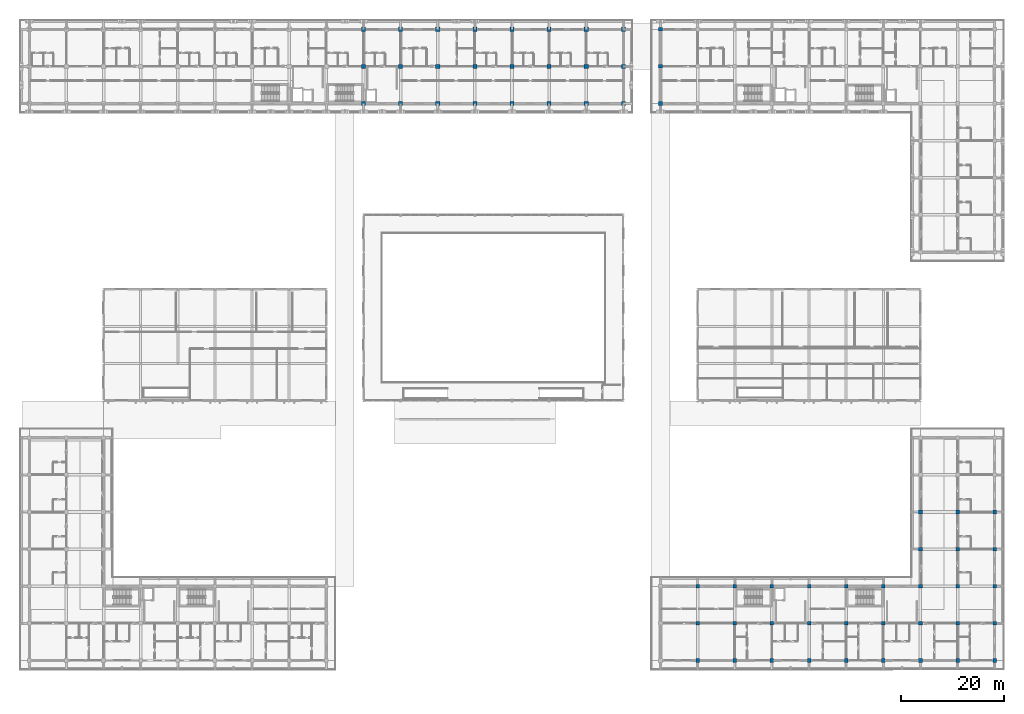
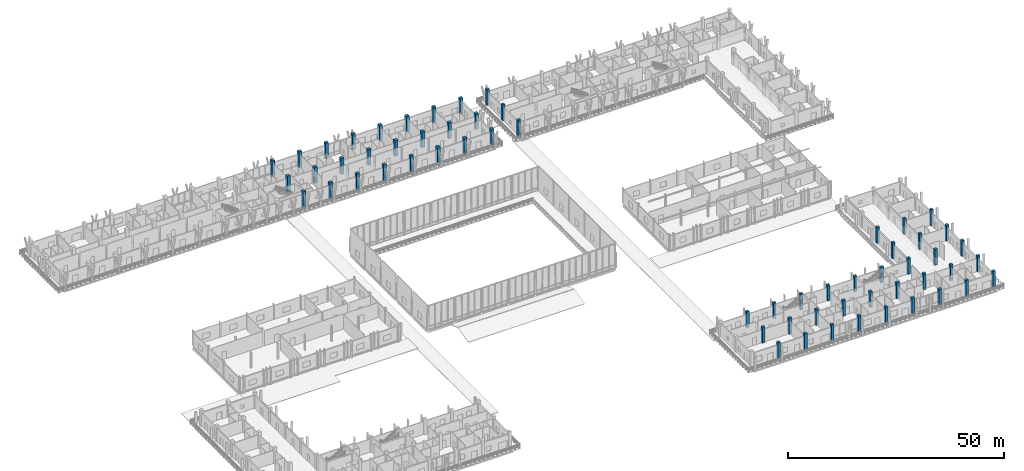
# One storey, part 9 of 110: 60 columns.
"""IFC4 building model written with IfcOpenShell, lengths in metres."""

import ifcopenshell
import ifcopenshell.guid

model = None  # the IFC model being written
_history = None  # IfcOwnerHistory: only IFC2X3 demands one
_inside = {}  # id of a spatial element -> (the spatial element, [elements in it])
_under = {}  # id of a project, library or spatial element -> (it, [spatial elements below it])
_declared = {}  # id of a project -> (the project, [libraries it declares])
_typed = {}  # id of a type object -> (the type object, [elements of that type])
_made_of = {}  # id of a material, layer set ... -> (it, [elements and type objects made of it])


def new_model(schema):
    """Start an empty IFC model of exactly this schema.

    Asked for "IFC4X3", IfcOpenShell would pick the latest addendum, in which some entities
    have other attributes; the version numbers below select the first issue.
    IFC2X3 requires an IfcOwnerHistory on every rooted entity: one is made here for all.
    """
    global model, _history
    if schema == "IFC4X3":
        model = ifcopenshell.file(schema_version=(4, 3, 0, 0))
    else:
        model = ifcopenshell.file(schema=schema)
    _inside.clear()
    _under.clear()
    _declared.clear()
    _typed.clear()
    _made_of.clear()
    _history = None
    if model.schema == "IFC2X3":
        org = make("IfcOrganization", Name="unknown")
        user = make(
            "IfcPersonAndOrganization",
            ThePerson=make("IfcPerson", FamilyName="unknown"),
            TheOrganization=org,
        )
        app = make(
            "IfcApplication",
            ApplicationDeveloper=org,
            Version="unknown",
            ApplicationFullName="unknown",
            ApplicationIdentifier="unknown",
        )
        _history = make(
            "IfcOwnerHistory",
            OwningUser=user,
            OwningApplication=app,
            ChangeAction="ADDED",
            CreationDate=0,
        )
    return model


def make(cls, **values):
    """One entity of the class cls with the attributes given. An attribute that is None is left unset."""
    return model.create_entity(
        cls, **{name: value for name, value in values.items() if value is not None}
    )


def rooted(cls, **values):
    """An entity with a GlobalId (a new one), such as an element, a storey or a relation."""
    return make(cls, GlobalId=ifcopenshell.guid.new(), OwnerHistory=_history, **values)


def si_unit(unit_type, name, prefix=None):
    """IfcSIUnit, for example si_unit("LENGTHUNIT", "METRE", prefix="MILLI")."""
    return make("IfcSIUnit", UnitType=unit_type, Prefix=prefix, Name=name)


def assignment(units):
    """IfcUnitAssignment: the units of a project."""
    return None if units is None else make("IfcUnitAssignment", Units=units)


def point(xyz):
    """IfcCartesianPoint."""
    return None if xyz is None else make("IfcCartesianPoint", Coordinates=xyz)


def direction(xyz):
    """IfcDirection."""
    return None if xyz is None else make("IfcDirection", DirectionRatios=xyz)


def frame(location, z_axis=None, x_axis=None):
    """IfcAxis2Placement3D, a coordinate frame: its origin and axes. An axis left out is left unset."""
    return make(
        "IfcAxis2Placement3D",
        Location=point(location),
        Axis=direction(z_axis),
        RefDirection=direction(x_axis),
    )


def frame_2d(location, x_axis=None):
    """IfcAxis2Placement2D, a coordinate frame in the plane: its origin and x axis."""
    return make(
        "IfcAxis2Placement2D", Location=point(location), RefDirection=direction(x_axis)
    )


def origin():
    """The frame at (0, 0, 0) with its axes left unset."""
    return frame((0.0, 0.0, 0.0))


def origin_2d():
    """The frame at (0, 0) in the plane with its x axis left unset."""
    return frame_2d((0.0, 0.0))


def place(relative_to, where):
    """IfcLocalPlacement: puts the frame where relative to a parent placement (None: the world)."""
    return make(
        "IfcLocalPlacement", PlacementRelTo=relative_to, RelativePlacement=where
    )


def context(
    kind, dimensions, precision=None, world=None, true_north=None, identifier=None
):
    """IfcGeometricRepresentationContext, for example the 3D "Model" context."""
    return make(
        "IfcGeometricRepresentationContext",
        ContextIdentifier=identifier,
        ContextType=kind,
        CoordinateSpaceDimension=dimensions,
        Precision=precision,
        WorldCoordinateSystem=world,
        TrueNorth=true_north,
    )


def subcontext(parent, identifier, kind, view, scale=None):
    """IfcGeometricRepresentationSubContext, for example "Body" below "Model"."""
    return make(
        "IfcGeometricRepresentationSubContext",
        ContextIdentifier=identifier,
        ContextType=kind,
        ParentContext=parent,
        TargetScale=scale,
        TargetView=view,
    )


def project(units=None, contexts=None):
    """IfcProject with its units and contexts."""
    return rooted(
        "IfcProject",
        Name="project",
        RepresentationContexts=contexts,
        UnitsInContext=assignment(units),
    )


def spatial(cls, under=None, at=None, **own):
    """A site, building, storey or space (cls), placed at a placement, below another one or the project."""
    s = rooted(cls, ObjectPlacement=at, **own)
    if under is not None:
        _under.setdefault(under.id(), (under, []))[1].append(s)
    return s


def profile(cls, at=None, kind="AREA", **sizes):
    """A parametric profile (cls). Its sizes go by their IFC names, for example OverallWidth=200.0."""
    return make(cls, ProfileType=kind, Position=at, **sizes)


def rectangle(**sizes):
    """IfcRectangleProfileDef."""
    return profile("IfcRectangleProfileDef", **sizes)


def extrude(swept, where, along, depth):
    """IfcExtrudedAreaSolid: the profile swept, set in the frame where, extruded along a direction by depth."""
    return make(
        "IfcExtrudedAreaSolid",
        SweptArea=swept,
        Position=where,
        ExtrudedDirection=direction(along),
        Depth=depth,
    )


def shape(context_of_items, identifier, shape_type, items):
    """IfcShapeRepresentation: the items that make up one representation, for example the "Body"."""
    return make(
        "IfcShapeRepresentation",
        ContextOfItems=context_of_items,
        RepresentationIdentifier=identifier,
        RepresentationType=shape_type,
        Items=items,
    )


def material(Name=None, Category=None):
    """IfcMaterial."""
    return make("IfcMaterial", Name=Name, Category=Category)


def material_profile(
    of_material, cross_section, Name=None, Category=None, Priority=None
):
    """IfcMaterialProfile: a cross section and its material."""
    return make(
        "IfcMaterialProfile",
        Name=Name,
        Material=of_material,
        Profile=cross_section,
        Priority=Priority,
        Category=Category,
    )


def profile_set(profiles, Name=None, composite=None):
    """IfcMaterialProfileSet."""
    return make(
        "IfcMaterialProfileSet",
        Name=Name,
        MaterialProfiles=profiles,
        CompositeProfile=composite,
    )


def made_of(thing, what):
    """Note that an element or type object is made of a material, layer set ...; save() writes the relation."""
    if what is not None:
        _made_of.setdefault(what.id(), (what, []))[1].append(thing)
    return thing


def type_object(cls, material=None, **own):
    """A type object (cls), such as IfcWallType, which elements share."""
    return made_of(rooted(cls, **own), material)


def element(
    cls,
    number,
    at=None,
    inside=None,
    cuts=None,
    type_object=None,
    material=None,
    context=None,
    identifier="Body",
    shape_type=None,
    held_by="IfcProductDefinitionShape",
    body=None,
    shapes=None,
    **own,
):
    """One element of the class cls, such as IfcWall. Its Tag is "e" and its number.

    at: its placement. inside: the storey or other place that contains it. cuts: it is an
    opening in that element (IfcRelVoidsElement). A single representation is given by context,
    identifier, shape_type and body (its items); several are given by shapes. held_by: the class
    of the entity that holds the representations. save() writes the other relations.
    """
    e = rooted(cls, Tag="e%d" % number, ObjectPlacement=at, **own)
    if body is not None:
        shapes = [shape(context, identifier, shape_type, body)]
    if shapes is not None:
        e.Representation = make(held_by, Representations=shapes)
    if inside is not None:
        _inside.setdefault(inside.id(), (inside, []))[1].append(e)
    if cuts is not None:
        rooted(
            "IfcRelVoidsElement", RelatingBuildingElement=cuts, RelatedOpeningElement=e
        )
    if type_object is not None:
        _typed.setdefault(type_object.id(), (type_object, []))[1].append(e)
    return made_of(e, material)


def aggregate(whole, parts):
    """IfcRelAggregates: a whole, such as a stair, and the parts it consists of."""
    return rooted("IfcRelAggregates", RelatingObject=whole, RelatedObjects=parts)


def save(model, path):
    """Write the relations noted so far, then the file.

    IfcRelAggregates (storeys below a building ...), IfcRelContainedInSpatialStructure (elements
    in a storey), IfcRelDefinesByType, IfcRelAssociatesMaterial and IfcRelDeclares: one each for
    every whole, place, type object, material and project.
    """
    for whole, parts in _under.values():
        aggregate(whole, parts)
    for where, things in _inside.values():
        rooted(
            "IfcRelContainedInSpatialStructure",
            RelatedElements=things,
            RelatingStructure=where,
        )
    for kind, things in _typed.values():
        rooted("IfcRelDefinesByType", RelatedObjects=things, RelatingType=kind)
    for what, things in _made_of.values():
        rooted("IfcRelAssociatesMaterial", RelatedObjects=things, RelatingMaterial=what)
    for by, libraries in _declared.values():
        rooted("IfcRelDeclares", RelatingContext=by, RelatedDefinitions=libraries)
    model.write(path)


model = new_model("IFC4")

# Units and contexts
model_context = context("Model", 3, precision=1e-05, world=origin(), true_north=direction((0.0, 1.0)))
body_context = subcontext(model_context, "Body", "Model", "MODEL_VIEW")
ifc_project = project(units=[si_unit("LENGTHUNIT", "METRE"), si_unit("AREAUNIT", "SQUARE_METRE"), si_unit("VOLUMEUNIT", "CUBIC_METRE"), si_unit("PLANEANGLEUNIT", "RADIAN"), si_unit("MASSUNIT", "GRAM", prefix="KILO")], contexts=[model_context])

# Site, building, storey
site_placement = place(None, origin())
site = spatial("IfcSite", under=ifc_project, at=site_placement, CompositionType="ELEMENT")
building_placement = place(site_placement, origin())
building = spatial("IfcBuilding", under=site, at=building_placement, Name="Suanplinth Sawtooth Commons", CompositionType="ELEMENT")
storey_placement = place(building_placement, frame((0.0, 0.0, 4.5)))
storey = spatial("IfcBuildingStorey", under=building, at=storey_placement, Name="L01", CompositionType="ELEMENT", Elevation=4.5)

# Columns
ifc_material = material(Name="Concrete C40/50", Category="concrete")
ifc_material_profile_1 = material_profile(ifc_material, rectangle(XDim=0.800048828125, YDim=0.800048828125, at=origin_2d()), Name="RC-COL 800x800")
ifc_profile_set_1 = profile_set([ifc_material_profile_1], Name="Concrete C40/50")
column_type_1 = type_object("IfcColumnType", Name="C-01", PredefinedType="COLUMN", material=ifc_profile_set_1)
for number, where, z_axis, x_axis, name in (
    (1, (64.800048828125, 108.0, 0.0), (0.0, 0.0, 1.0), (1.0, 0.0, 0.0), "Column L01 10/R"),
    (2, (64.800048828125, 115.199951171875, 0.0), (0.0, 0.0, 1.0), (1.0, 0.0, 0.0), "Column L01 10/S"),
    (3, (64.800048828125, 122.39990234375, 0.0), (0.0, 0.0, 1.0), (1.0, 0.0, 0.0), "Column L01 10/T"),
    (4, (72.0, 108.0, 0.0), (0.0, 0.0, 1.0), (1.0, 0.0, 0.0), "Column L01 11/R"),
    (5, (72.0, 115.199951171875, 0.0), (0.0, 0.0, 1.0), (1.0, 0.0, 0.0), "Column L01 11/S"),
    (6, (72.0, 122.39990234375, 0.0), (0.0, 0.0, 1.0), (1.0, 0.0, 0.0), "Column L01 11/T"),
    (7, (79.199951171875, 108.0, 0.0), (0.0, 0.0, 1.0), (1.0, 0.0, 0.0), "Column L01 12/R"),
    (8, (79.199951171875, 115.199951171875, 0.0), (0.0, 0.0, 1.0), (1.0, 0.0, 0.0), "Column L01 12/S"),
    (9, (79.199951171875, 122.39990234375, 0.0), (0.0, 0.0, 1.0), (1.0, 0.0, 0.0), "Column L01 12/T"),
    (10, (86.39990234375, 108.0, 0.0), (0.0, 0.0, 1.0), (1.0, 0.0, 0.0), "Column L01 13/R"),
    (11, (86.39990234375, 115.199951171875, 0.0), (0.0, 0.0, 1.0), (1.0, 0.0, 0.0), "Column L01 13/S"),
    (12, (86.39990234375, 122.39990234375, 0.0), (0.0, 0.0, 1.0), (1.0, 0.0, 0.0), "Column L01 13/T"),
    (13, (93.60009765625, 108.0, 0.0), (0.0, 0.0, 1.0), (1.0, 0.0, 0.0), "Column L01 14/R"),
    (14, (93.60009765625, 115.199951171875, 0.0), (0.0, 0.0, 1.0), (1.0, 0.0, 0.0), "Column L01 14/S"),
    (15, (93.60009765625, 122.39990234375, 0.0), (0.0, 0.0, 1.0), (1.0, 0.0, 0.0), "Column L01 14/T"),
    (16, (100.800048828125, 108.0, 0.0), (0.0, 0.0, 1.0), (1.0, 0.0, 0.0), "Column L01 15/R"),
    (17, (100.800048828125, 115.199951171875, 0.0), (0.0, 0.0, 1.0), (1.0, 0.0, 0.0), "Column L01 15/S"),
    (18, (100.800048828125, 122.39990234375, 0.0), (0.0, 0.0, 1.0), (1.0, 0.0, 0.0), "Column L01 15/T"),
    (19, (108.0, 108.0, 0.0), (0.0, 0.0, 1.0), (1.0, 0.0, 0.0), "Column L01 16/R"),
    (20, (108.0, 115.199951171875, 0.0), (0.0, 0.0, 1.0), (1.0, 0.0, 0.0), "Column L01 16/S"),
    (21, (108.0, 122.39990234375, 0.0), (0.0, 0.0, 1.0), (1.0, 0.0, 0.0), "Column L01 16/T"),
    (22, (115.199951171875, 108.0, 0.0), (0.0, 0.0, 1.0), (1.0, 0.0, 0.0), "Column L01 17/R"),
    (23, (115.199951171875, 115.199951171875, 0.0), (0.0, 0.0, 1.0), (1.0, 0.0, 0.0), "Column L01 17/S"),
    (24, (115.199951171875, 122.39990234375, 0.0), (0.0, 0.0, 1.0), (1.0, 0.0, 0.0), "Column L01 17/T"),
):
    element("IfcColumn", number, at=place(storey_placement, frame(where, z_axis=z_axis, x_axis=x_axis)), inside=storey, type_object=column_type_1, Name=name, PredefinedType="COLUMN", context=body_context, shape_type="SweptSolid", body=[
        extrude(rectangle(XDim=0.800048828125, YDim=0.800048828125, at=origin_2d()), origin(), (0.0, 0.0, 1.0), 4.5),
    ])
ifc_material_profile_2 = material_profile(ifc_material, rectangle(XDim=0.699951171875, YDim=0.699951171875, at=origin_2d()), Name="RC-COL 700x700")
ifc_profile_set_2 = profile_set([ifc_material_profile_2], Name="Concrete C40/50")
column_type_2 = type_object("IfcColumnType", Name="C-02", PredefinedType="COLUMN", material=ifc_profile_set_2)
for number, where, z_axis, x_axis, name in (
    (25, (122.39990234375, 108.0, 0.0), (0.0, 0.0, 1.0), (1.0, 0.0, 0.0), "Column L01 18/R"),
    (26, (122.39990234375, 115.199951171875, 0.0), (0.0, 0.0, 1.0), (1.0, 0.0, 0.0), "Column L01 18/S"),
    (27, (122.39990234375, 122.39990234375, 0.0), (0.0, 0.0, 1.0), (1.0, 0.0, 0.0), "Column L01 18/T"),
    (28, (129.60009765625, 0.0, 0.0), (0.0, 0.0, 1.0), (1.0, 0.0, 0.0), "Column L01 19/A"),
    (29, (129.60009765625, 7.199951171875, 0.0), (0.0, 0.0, 1.0), (1.0, 0.0, 0.0), "Column L01 19/B"),
    (30, (129.60009765625, 14.39990234375, 0.0), (0.0, 0.0, 1.0), (1.0, 0.0, 0.0), "Column L01 19/C"),
    (31, (136.800048828125, 0.0, 0.0), (0.0, 0.0, 1.0), (1.0, 0.0, 0.0), "Column L01 20/A"),
    (32, (136.800048828125, 7.199951171875, 0.0), (0.0, 0.0, 1.0), (1.0, 0.0, 0.0), "Column L01 20/B"),
    (33, (136.800048828125, 14.39990234375, 0.0), (0.0, 0.0, 1.0), (1.0, 0.0, 0.0), "Column L01 20/C"),
    (34, (144.0, 0.0, 0.0), (0.0, 0.0, 1.0), (1.0, 0.0, 0.0), "Column L01 21/A"),
    (35, (144.0, 7.199951171875, 0.0), (0.0, 0.0, 1.0), (1.0, 0.0, 0.0), "Column L01 21/B"),
    (36, (144.0, 14.39990234375, 0.0), (0.0, 0.0, 1.0), (1.0, 0.0, 0.0), "Column L01 21/C"),
    (37, (151.199951171875, 0.0, 0.0), (0.0, 0.0, 1.0), (1.0, 0.0, 0.0), "Column L01 22/A"),
    (38, (151.199951171875, 7.199951171875, 0.0), (0.0, 0.0, 1.0), (1.0, 0.0, 0.0), "Column L01 22/B"),
    (39, (151.199951171875, 14.39990234375, 0.0), (0.0, 0.0, 1.0), (1.0, 0.0, 0.0), "Column L01 22/C"),
    (40, (158.39990234375, 0.0, 0.0), (0.0, 0.0, 1.0), (1.0, 0.0, 0.0), "Column L01 23/A"),
    (41, (158.39990234375, 7.199951171875, 0.0), (0.0, 0.0, 1.0), (1.0, 0.0, 0.0), "Column L01 23/B"),
    (42, (158.39990234375, 14.39990234375, 0.0), (0.0, 0.0, 1.0), (1.0, 0.0, 0.0), "Column L01 23/C"),
    (43, (165.60009765625, 0.0, 0.0), (0.0, 0.0, 1.0), (1.0, 0.0, 0.0), "Column L01 24/A"),
    (44, (165.60009765625, 7.199951171875, 0.0), (0.0, 0.0, 1.0), (1.0, 0.0, 0.0), "Column L01 24/B"),
    (45, (165.60009765625, 14.39990234375, 0.0), (0.0, 0.0, 1.0), (1.0, 0.0, 0.0), "Column L01 24/C"),
    (46, (172.800048828125, 0.0, 0.0), (0.0, 0.0, 1.0), (1.0, 0.0, 0.0), "Column L01 25/A"),
    (47, (172.800048828125, 7.199951171875, 0.0), (0.0, 0.0, 1.0), (1.0, 0.0, 0.0), "Column L01 25/B"),
    (48, (172.800048828125, 14.39990234375, 0.0), (0.0, 0.0, 1.0), (1.0, 0.0, 0.0), "Column L01 25/C"),
    (49, (172.800048828125, 21.60009765625, 0.0), (0.0, 0.0, 1.0), (1.0, 0.0, 0.0), "Column L01 25/D"),
    (50, (172.800048828125, 28.800048828125, 0.0), (0.0, 0.0, 1.0), (1.0, 0.0, 0.0), "Column L01 25/E"),
    (51, (180.0, 0.0, 0.0), (0.0, 0.0, 1.0), (1.0, 0.0, 0.0), "Column L01 26/A"),
    (52, (180.0, 7.199951171875, 0.0), (0.0, 0.0, 1.0), (1.0, 0.0, 0.0), "Column L01 26/B"),
    (53, (180.0, 14.39990234375, 0.0), (0.0, 0.0, 1.0), (1.0, 0.0, 0.0), "Column L01 26/C"),
    (54, (180.0, 21.60009765625, 0.0), (0.0, 0.0, 1.0), (1.0, 0.0, 0.0), "Column L01 26/D"),
    (55, (180.0, 28.800048828125, 0.0), (0.0, 0.0, 1.0), (1.0, 0.0, 0.0), "Column L01 26/E"),
    (56, (187.199951171875, 0.0, 0.0), (0.0, 0.0, 1.0), (1.0, 0.0, 0.0), "Column L01 27/A"),
    (57, (187.199951171875, 7.199951171875, 0.0), (0.0, 0.0, 1.0), (1.0, 0.0, 0.0), "Column L01 27/B"),
    (58, (187.199951171875, 14.39990234375, 0.0), (0.0, 0.0, 1.0), (1.0, 0.0, 0.0), "Column L01 27/C"),
    (59, (187.199951171875, 21.60009765625, 0.0), (0.0, 0.0, 1.0), (1.0, 0.0, 0.0), "Column L01 27/D"),
    (60, (187.199951171875, 28.800048828125, 0.0), (0.0, 0.0, 1.0), (1.0, 0.0, 0.0), "Column L01 27/E"),
):
    element("IfcColumn", number, at=place(storey_placement, frame(where, z_axis=z_axis, x_axis=x_axis)), inside=storey, type_object=column_type_2, Name=name, PredefinedType="COLUMN", context=body_context, shape_type="SweptSolid", body=[
        extrude(rectangle(XDim=0.699951171875, YDim=0.699951171875, at=origin_2d()), origin(), (0.0, 0.0, 1.0), 4.5),
    ])

save(model, "model.ifc")
